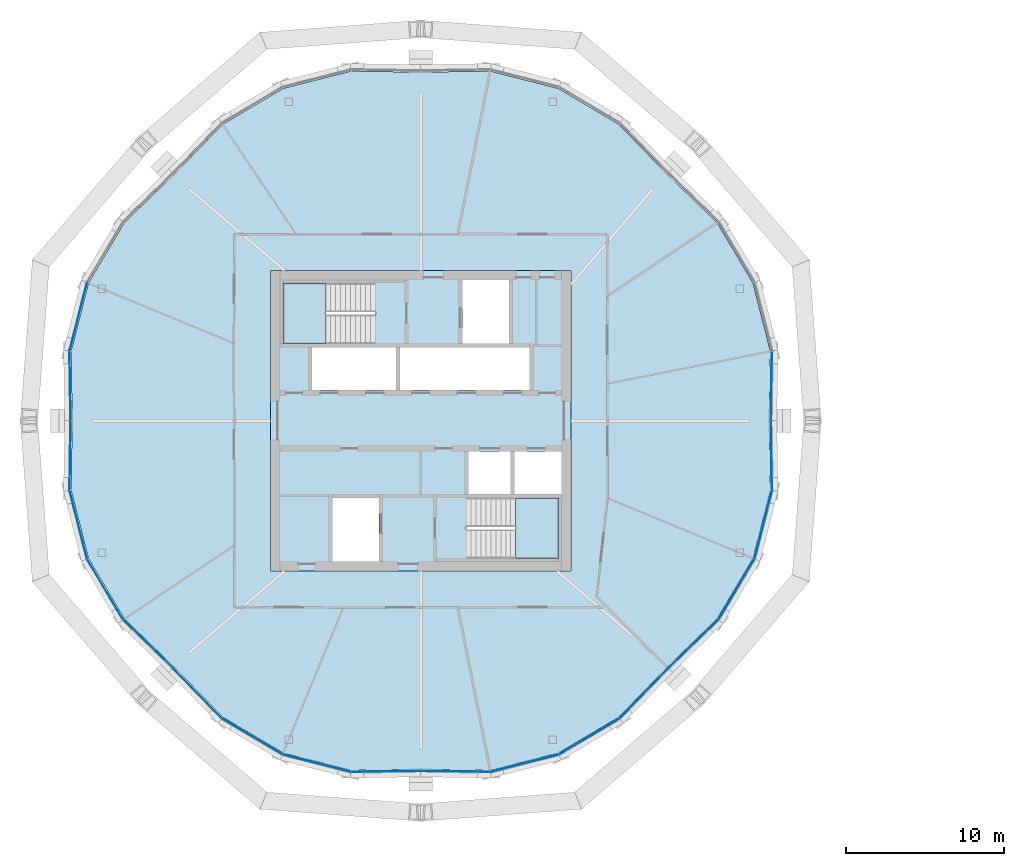
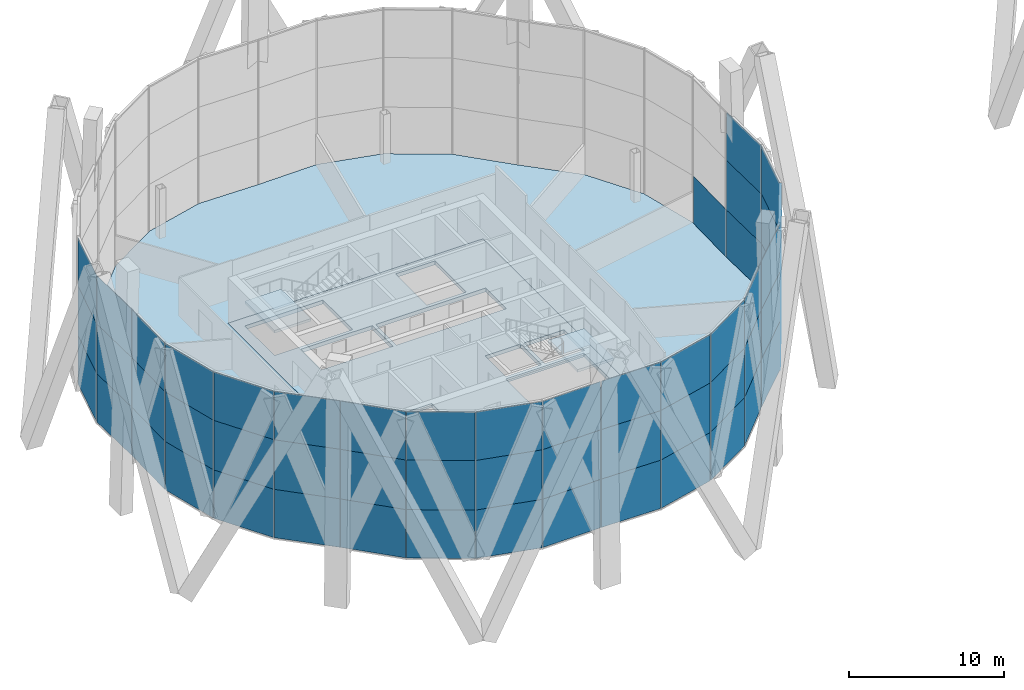
# One storey, part 12 of 23: 55 plates, 4 slabs, 8 elements without a shape of their own.
"""IFC4 building model written with IfcOpenShell, lengths in metres."""

from ifc_helpers import new_model, si_unit, direction, frame, origin, origin_2d, place, context, subcontext, project, spatial, polyline, rectangle, outline, extrude, material, layer, layer_set, type_object, element, aggregate, save


model = new_model("IFC4")

# Units and contexts
model_context = context("Model", 3, precision=1e-05, world=origin(), true_north=direction((0.0, 1.0)))
body_context = subcontext(model_context, "Body", "Model", "MODEL_VIEW")
ifc_project = project(units=[si_unit("LENGTHUNIT", "METRE"), si_unit("AREAUNIT", "SQUARE_METRE"), si_unit("VOLUMEUNIT", "CUBIC_METRE"), si_unit("PLANEANGLEUNIT", "RADIAN"), si_unit("MASSUNIT", "GRAM", prefix="KILO")], contexts=[model_context])

# Site, building, storey
site_placement = place(None, origin())
site = spatial("IfcSite", under=ifc_project, at=site_placement, CompositionType="ELEMENT")
building_placement = place(site_placement, origin())
building = spatial("IfcBuilding", under=site, at=building_placement, Name="Ogive Gate Towers", CompositionType="ELEMENT")
storey_placement = place(building_placement, frame((0.0, 0.0, 165.60009765625)))
storey = spatial("IfcBuildingStorey", under=building, at=storey_placement, Name="L39", CompositionType="ELEMENT", Elevation=165.60009765625)

# Slabs
ifc_material_1 = material(Name="Concrete C40/50", Category="concrete")
ifc_layer_1 = layer(ifc_material_1, 0.300048828125)
ifc_layer_set_1 = layer_set([ifc_layer_1], Name="Core slab C40/50 300 mm")
slab_type_1 = type_object("IfcSlabType", Name="Core slab C40/50 300 mm", PredefinedType="FLOOR", material=ifc_layer_set_1)
slab_1_placement = place(storey_placement, frame((0.0, 0.0, -0.300048828125)))
element("IfcSlab", 1, at=slab_1_placement, inside=storey, type_object=slab_type_1, Name="T1 L39 core slab", PredefinedType="FLOOR", context=body_context, shape_type="SweptSolid", body=[
    extrude(outline(polyline([(-45.5, -9.5), (-45.5, 9.5), (-26.5, 9.5), (-26.5, -9.5), (-45.5, -9.5)]), holes=[polyline([(-42.875, 1.949951171875), (-37.574951171875, 1.949951171875), (-37.574951171875, 4.625), (-42.875, 4.625), (-42.875, 1.949951171875)]), polyline([(-37.324951171875, 4.625), (-37.324951171875, 1.949951171875), (-29.125, 1.949951171875), (-29.125, 4.625), (-37.324951171875, 4.625)]), polyline([(-30.324951171875, -1.949951171875), (-32.97509765625, -1.949951171875), (-32.97509765625, -4.625), (-30.324951171875, -4.625), (-30.324951171875, -1.949951171875)]), polyline([(-27.10009765625, -4.625), (-27.10009765625, -1.949951171875), (-30.074951171875, -1.949951171875), (-30.074951171875, -4.625), (-27.10009765625, -4.625)]), polyline([(-33.375, 4.875), (-30.425048828125, 4.875), (-30.425048828125, 8.89990234375), (-33.375, 8.89990234375), (-33.375, 4.875)]), polyline([(-41.574951171875, -4.875), (-41.574951171875, -8.89990234375), (-38.625, -8.89990234375), (-38.625, -4.875), (-41.574951171875, -4.875)]), polyline([(-44.699951171875, 4.875), (-38.885009765625, 4.875), (-38.885009765625, 8.699951171875), (-44.699951171875, 8.699951171875), (-44.699951171875, 4.875)]), polyline([(-27.300048828125, -8.699951171875), (-27.300048828125, -4.875), (-33.114990234375, -4.875), (-33.114990234375, -8.699951171875), (-27.300048828125, -8.699951171875)])]), origin(), (0.0, 0.0, 1.0), 0.300048828125),
])
ifc_material_2 = material(Name="Concrete C35/45", Category="concrete")
ifc_layer_2 = layer(ifc_material_2, 0.300048828125)
ifc_layer_set_2 = layer_set([ifc_layer_2], Name="Floor slab 300")
slab_type_2 = type_object("IfcSlabType", Name="Floor slab 300", PredefinedType="FLOOR", material=ifc_layer_set_2)
slab_2_placement = place(storey_placement, frame((0.0, 0.0, -0.300048828125)))
element("IfcSlab", 2, at=slab_2_placement, inside=storey, type_object=slab_type_2, Name="T1/L39/SSL001", PredefinedType="FLOOR", context=body_context, shape_type="SweptSolid", body=[
    extrude(outline(polyline([(-13.90283203125, -4.395263671875), (-13.969970703125, 0.0), (-13.90283203125, 4.395263671875), (-15.000244140625, 8.698486328125), (-17.26708984375, 12.51708984375), (-20.42236328125, 15.57763671875), (-23.48291015625, 18.73291015625), (-27.301513671875, 20.999755859375), (-31.604736328125, 22.09716796875), (-36.0, 22.030029296875), (-40.395263671875, 22.09716796875), (-44.698486328125, 20.999755859375), (-48.51708984375, 18.73291015625), (-51.57763671875, 15.57763671875), (-54.73291015625, 12.51708984375), (-56.999755859375, 8.698486328125), (-58.09716796875, 4.395263671875), (-58.030029296875, 0.0), (-58.09716796875, -4.395263671875), (-56.999755859375, -8.698486328125), (-54.73291015625, -12.51708984375), (-51.57763671875, -15.57763671875), (-48.51708984375, -18.73291015625), (-44.698486328125, -20.999755859375), (-40.395263671875, -22.09716796875), (-36.0, -22.030029296875), (-31.604736328125, -22.09716796875), (-27.301513671875, -20.999755859375), (-23.48291015625, -18.73291015625), (-20.42236328125, -15.57763671875), (-17.26708984375, -12.51708984375), (-15.000244140625, -8.698486328125), (-13.90283203125, -4.395263671875)]), holes=[polyline([(-26.5, -9.5), (-45.5, -9.5), (-45.5, 9.5), (-26.5, 9.5), (-26.5, -9.5)])]), origin(), (0.0, 0.0, 1.0), 0.300048828125),
])

# Stair, slab
stair_type = type_object("IfcStairType", Name="Escape stair 1840 wide", PredefinedType="HALF_TURN_STAIR", material=ifc_material_1)
stair_1_placement = place(storey_placement, origin())
stair_1 = element("IfcStair", 3, at=stair_1_placement, inside=storey, type_object=stair_type, Name="L39 Escape stair 1", PredefinedType="HALF_TURN_STAIR")
ifc_layer_3 = layer(ifc_material_1, 0.199951171875)
ifc_layer_set_3 = layer_set([ifc_layer_3], Name="Stair landing 200 mm")
slab_type_3 = type_object("IfcSlabType", Name="Stair landing 200 mm", PredefinedType="LANDING", material=ifc_layer_set_3)
slab_3_placement = place(storey_placement, frame((0.0, 0.0, 1.75)))
slab_3 = element("IfcSlab", 4, at=slab_3_placement, type_object=slab_type_3, Name="ST1 landing 1", PredefinedType="LANDING", context=body_context, shape_type="SweptSolid", body=[
    extrude(outline(polyline([(-42.00146484375, 8.699951171875), (-44.699951171875, 8.699951171875), (-44.699951171875, 4.875), (-42.00146484375, 4.875), (-42.00146484375, 8.699951171875)])), origin(), (0.0, 0.0, 1.0), 0.199951171875),
])
aggregate(stair_1, [slab_3])

stair_2_placement = place(storey_placement, origin())
stair_2 = element("IfcStair", 5, at=stair_2_placement, inside=storey, type_object=stair_type, Name="L39 Escape stair 2", PredefinedType="HALF_TURN_STAIR")
slab_4_placement = place(storey_placement, frame((0.0, 0.0, 1.75)))
slab_4 = element("IfcSlab", 6, at=slab_4_placement, type_object=slab_type_3, Name="ST2 landing 1", PredefinedType="LANDING", context=body_context, shape_type="SweptSolid", body=[
    extrude(outline(polyline([(-29.99853515625, -8.699951171875), (-27.300048828125, -8.699951171875), (-27.300048828125, -4.875), (-29.99853515625, -4.875), (-29.99853515625, -8.699951171875)])), origin(), (0.0, 0.0, 1.0), 0.199951171875),
])
aggregate(stair_2, [slab_4])

# Curtain wall, plate
ifc_material_3 = material(Name="Pale metal aluminium", Category="aluminium")
curtain_wall_type = type_object("IfcCurtainWallType", Name="Tower unitised wall, high zone", PredefinedType="NOTDEFINED", material=ifc_material_3)
curtain_wall_1_placement = place(storey_placement, origin())
curtain_wall_1 = element("IfcCurtainWall", 7, at=curtain_wall_1_placement, inside=storey, type_object=curtain_wall_type, Name="CW2 T1 ECW01", PredefinedType="NOTDEFINED")
ifc_material_4 = material(Name="Clear glass", Category="glass")
ifc_layer_4 = layer(ifc_material_4, 0.028076171875)
ifc_layer_set_4 = layer_set([ifc_layer_4], Name="Tower unitised wall, high zone glass panel")
plate_type = type_object("IfcPlateType", Name="Tower unitised wall, high zone glass panel", PredefinedType="CURTAIN_PANEL", material=ifc_layer_set_4)
plate_1_placement = place(storey_placement, frame((-13.83642578125, 2.20166015625, -0.2041015625), z_axis=(0.0, 0.0, 1.0), x_axis=(0.015271037347, 0.99988339091, 0.0)))
plate_1 = element("IfcPlate", 8, at=plate_1_placement, type_object=plate_type, Name="CW2 glass panel", PredefinedType="CURTAIN_PANEL", context=body_context, shape_type="SweptSolid", body=[
    extrude(rectangle(XDim=4.349853515625, YDim=0.028076171875, at=origin_2d()), origin(), (0.0, 0.0, 1.0), 3.803955078125),
])
aggregate(curtain_wall_1, [plate_1])

# Curtain wall, plates
curtain_wall_2_placement = place(storey_placement, origin())
curtain_wall_2 = element("IfcCurtainWall", 9, at=curtain_wall_2_placement, inside=storey, type_object=curtain_wall_type, Name="CW2 T1 ECW04", PredefinedType="NOTDEFINED")
plate_2_placement = place(storey_placement, frame((-57.645263671875, 6.572021484375, -0.2041015625), z_axis=(0.0, 0.0, 1.0), x_axis=(-0.247100486458, -0.968989860418, 0.0)))
plate_2 = element("IfcPlate", 10, at=plate_2_placement, type_object=plate_type, Name="CW2 glass panel", PredefinedType="CURTAIN_PANEL", context=body_context, shape_type="SweptSolid", body=[
    extrude(rectangle(XDim=4.406494140625, YDim=0.028076171875, at=origin_2d()), origin(), (0.0, 0.0, 1.0), 3.803955078125),
])
plate_3_placement = place(storey_placement, frame((-57.645263671875, 6.572021484375, 3.599853515625), z_axis=(0.0, 0.0, 1.0), x_axis=(-0.247100486458, -0.968989860418, 0.0)))
plate_3 = element("IfcPlate", 11, at=plate_3_placement, type_object=plate_type, Name="CW2 glass panel", PredefinedType="CURTAIN_PANEL", context=body_context, shape_type="SweptSolid", body=[
    extrude(rectangle(XDim=4.406494140625, YDim=0.028076171875, at=origin_2d()), origin(), (0.0, 0.0, 1.0), 3.89990234375),
])
plate_4_placement = place(storey_placement, frame((-57.645263671875, 6.572021484375, 7.5), z_axis=(0.0, 0.0, 1.0), x_axis=(-0.247100486458, -0.968989860418, 0.0)))
plate_4 = element("IfcPlate", 12, at=plate_4_placement, type_object=plate_type, Name="CW2 glass panel", PredefinedType="CURTAIN_PANEL", context=body_context, shape_type="SweptSolid", body=[
    extrude(rectangle(XDim=4.406494140625, YDim=0.028076171875, at=origin_2d()), origin(), (0.0, 0.0, 1.0), 3.803955078125),
])
plate_5_placement = place(storey_placement, frame((-58.16357421875, 2.20166015625, -0.2041015625), z_axis=(0.0, 0.0, 1.0), x_axis=(0.015271037347, -0.99988339091, 0.0)))
plate_5 = element("IfcPlate", 13, at=plate_5_placement, type_object=plate_type, Name="CW2 glass panel", PredefinedType="CURTAIN_PANEL", context=body_context, shape_type="SweptSolid", body=[
    extrude(rectangle(XDim=4.349853515625, YDim=0.028076171875, at=origin_2d()), origin(), (0.0, 0.0, 1.0), 3.803955078125),
])
plate_6_placement = place(storey_placement, frame((-58.16357421875, 2.20166015625, 3.599853515625), z_axis=(0.0, 0.0, 1.0), x_axis=(0.015271037347, -0.99988339091, 0.0)))
plate_6 = element("IfcPlate", 14, at=plate_6_placement, type_object=plate_type, Name="CW2 glass panel", PredefinedType="CURTAIN_PANEL", context=body_context, shape_type="SweptSolid", body=[
    extrude(rectangle(XDim=4.349853515625, YDim=0.028076171875, at=origin_2d()), origin(), (0.0, 0.0, 1.0), 3.89990234375),
])
plate_7_placement = place(storey_placement, frame((-58.16357421875, 2.20166015625, 7.5), z_axis=(0.0, 0.0, 1.0), x_axis=(0.015271037347, -0.99988339091, 0.0)))
plate_7 = element("IfcPlate", 15, at=plate_7_placement, type_object=plate_type, Name="CW2 glass panel", PredefinedType="CURTAIN_PANEL", context=body_context, shape_type="SweptSolid", body=[
    extrude(rectangle(XDim=4.349853515625, YDim=0.028076171875, at=origin_2d()), origin(), (0.0, 0.0, 1.0), 3.803955078125),
])
aggregate(curtain_wall_2, [plate_2, plate_3, plate_4, plate_5, plate_6, plate_7])

curtain_wall_3_placement = place(storey_placement, origin())
curtain_wall_3 = element("IfcCurtainWall", 16, at=curtain_wall_3_placement, inside=storey, type_object=curtain_wall_type, Name="CW2 T1 ECW05", PredefinedType="NOTDEFINED")
plate_8_placement = place(storey_placement, frame((-58.16357421875, -2.20166015625, -0.2041015625), z_axis=(0.0, 0.0, 1.0), x_axis=(-0.015271037347, -0.99988339091, 0.0)))
plate_8 = element("IfcPlate", 17, at=plate_8_placement, type_object=plate_type, Name="CW2 glass panel", PredefinedType="CURTAIN_PANEL", context=body_context, shape_type="SweptSolid", body=[
    extrude(rectangle(XDim=4.349853515625, YDim=0.028076171875, at=origin_2d()), origin(), (0.0, 0.0, 1.0), 3.803955078125),
])
plate_9_placement = place(storey_placement, frame((-58.16357421875, -2.20166015625, 3.599853515625), z_axis=(0.0, 0.0, 1.0), x_axis=(-0.015271037347, -0.99988339091, 0.0)))
plate_9 = element("IfcPlate", 18, at=plate_9_placement, type_object=plate_type, Name="CW2 glass panel", PredefinedType="CURTAIN_PANEL", context=body_context, shape_type="SweptSolid", body=[
    extrude(rectangle(XDim=4.349853515625, YDim=0.028076171875, at=origin_2d()), origin(), (0.0, 0.0, 1.0), 3.89990234375),
])
plate_10_placement = place(storey_placement, frame((-58.16357421875, -2.20166015625, 7.5), z_axis=(0.0, 0.0, 1.0), x_axis=(-0.015271037347, -0.99988339091, 0.0)))
plate_10 = element("IfcPlate", 19, at=plate_10_placement, type_object=plate_type, Name="CW2 glass panel", PredefinedType="CURTAIN_PANEL", context=body_context, shape_type="SweptSolid", body=[
    extrude(rectangle(XDim=4.349853515625, YDim=0.028076171875, at=origin_2d()), origin(), (0.0, 0.0, 1.0), 3.803955078125),
])
plate_11_placement = place(storey_placement, frame((-57.645263671875, -6.572021484375, -0.2041015625), z_axis=(0.0, 0.0, 1.0), x_axis=(0.247100486458, -0.968989860418, 0.0)))
plate_11 = element("IfcPlate", 20, at=plate_11_placement, type_object=plate_type, Name="CW2 glass panel", PredefinedType="CURTAIN_PANEL", context=body_context, shape_type="SweptSolid", body=[
    extrude(rectangle(XDim=4.406494140625, YDim=0.028076171875, at=origin_2d()), origin(), (0.0, 0.0, 1.0), 3.803955078125),
])
plate_12_placement = place(storey_placement, frame((-57.645263671875, -6.572021484375, 3.599853515625), z_axis=(0.0, 0.0, 1.0), x_axis=(0.247100486458, -0.968989860418, 0.0)))
plate_12 = element("IfcPlate", 21, at=plate_12_placement, type_object=plate_type, Name="CW2 glass panel", PredefinedType="CURTAIN_PANEL", context=body_context, shape_type="SweptSolid", body=[
    extrude(rectangle(XDim=4.406494140625, YDim=0.028076171875, at=origin_2d()), origin(), (0.0, 0.0, 1.0), 3.89990234375),
])
plate_13_placement = place(storey_placement, frame((-57.645263671875, -6.572021484375, 7.5), z_axis=(0.0, 0.0, 1.0), x_axis=(0.247100486458, -0.968989860418, 0.0)))
plate_13 = element("IfcPlate", 22, at=plate_13_placement, type_object=plate_type, Name="CW2 glass panel", PredefinedType="CURTAIN_PANEL", context=body_context, shape_type="SweptSolid", body=[
    extrude(rectangle(XDim=4.406494140625, YDim=0.028076171875, at=origin_2d()), origin(), (0.0, 0.0, 1.0), 3.803955078125),
])
plate_14_placement = place(storey_placement, frame((-55.95263671875, -10.658447265625, -0.2041015625), z_axis=(0.0, 0.0, 1.0), x_axis=(0.510452871593, -0.859905730811, 0.0)))
plate_14 = element("IfcPlate", 23, at=plate_14_placement, type_object=plate_type, Name="CW2 glass panel", PredefinedType="CURTAIN_PANEL", context=body_context, shape_type="SweptSolid", body=[
    extrude(rectangle(XDim=4.406494140625, YDim=0.028076171875, at=origin_2d()), origin(), (0.0, 0.0, 1.0), 3.803955078125),
])
plate_15_placement = place(storey_placement, frame((-55.95263671875, -10.658447265625, 3.599853515625), z_axis=(0.0, 0.0, 1.0), x_axis=(0.510452871593, -0.859905730811, 0.0)))
plate_15 = element("IfcPlate", 24, at=plate_15_placement, type_object=plate_type, Name="CW2 glass panel", PredefinedType="CURTAIN_PANEL", context=body_context, shape_type="SweptSolid", body=[
    extrude(rectangle(XDim=4.406494140625, YDim=0.028076171875, at=origin_2d()), origin(), (0.0, 0.0, 1.0), 3.89990234375),
])
plate_16_placement = place(storey_placement, frame((-55.95263671875, -10.658447265625, 7.5), z_axis=(0.0, 0.0, 1.0), x_axis=(0.510452871593, -0.859905730811, 0.0)))
plate_16 = element("IfcPlate", 25, at=plate_16_placement, type_object=plate_type, Name="CW2 glass panel", PredefinedType="CURTAIN_PANEL", context=body_context, shape_type="SweptSolid", body=[
    extrude(rectangle(XDim=4.406494140625, YDim=0.028076171875, at=origin_2d()), origin(), (0.0, 0.0, 1.0), 3.803955078125),
])
plate_17_placement = place(storey_placement, frame((-53.22900390625, -14.115234375, -0.2041015625), z_axis=(0.0, 0.0, 1.0), x_axis=(0.717810428625, -0.696238600306, 0.0)))
plate_17 = element("IfcPlate", 26, at=plate_17_placement, type_object=plate_type, Name="CW2 glass panel", PredefinedType="CURTAIN_PANEL", context=body_context, shape_type="SweptSolid", body=[
    extrude(rectangle(XDim=4.349853515625, YDim=0.028076171875, at=origin_2d()), origin(), (0.0, 0.0, 1.0), 3.803955078125),
])
plate_18_placement = place(storey_placement, frame((-53.22900390625, -14.115234375, 3.599853515625), z_axis=(0.0, 0.0, 1.0), x_axis=(0.717810428625, -0.696238600306, 0.0)))
plate_18 = element("IfcPlate", 27, at=plate_18_placement, type_object=plate_type, Name="CW2 glass panel", PredefinedType="CURTAIN_PANEL", context=body_context, shape_type="SweptSolid", body=[
    extrude(rectangle(XDim=4.349853515625, YDim=0.028076171875, at=origin_2d()), origin(), (0.0, 0.0, 1.0), 3.89990234375),
])
plate_19_placement = place(storey_placement, frame((-53.22900390625, -14.115234375, 7.5), z_axis=(0.0, 0.0, 1.0), x_axis=(0.717810428625, -0.696238600306, 0.0)))
plate_19 = element("IfcPlate", 28, at=plate_19_placement, type_object=plate_type, Name="CW2 glass panel", PredefinedType="CURTAIN_PANEL", context=body_context, shape_type="SweptSolid", body=[
    extrude(rectangle(XDim=4.349853515625, YDim=0.028076171875, at=origin_2d()), origin(), (0.0, 0.0, 1.0), 3.803955078125),
])
aggregate(curtain_wall_3, [plate_8, plate_9, plate_10, plate_11, plate_12, plate_13, plate_14, plate_15, plate_16, plate_17, plate_18, plate_19])

curtain_wall_4_placement = place(storey_placement, origin())
curtain_wall_4 = element("IfcCurtainWall", 29, at=curtain_wall_4_placement, inside=storey, type_object=curtain_wall_type, Name="CW2 T1 ECW06", PredefinedType="NOTDEFINED")
plate_20_placement = place(storey_placement, frame((-50.115234375, -17.22900390625, -0.2041015625), z_axis=(0.0, 0.0, 1.0), x_axis=(0.696238600306, -0.717810428625, 0.0)))
plate_20 = element("IfcPlate", 30, at=plate_20_placement, type_object=plate_type, Name="CW2 glass panel", PredefinedType="CURTAIN_PANEL", context=body_context, shape_type="SweptSolid", body=[
    extrude(rectangle(XDim=4.349853515625, YDim=0.028076171875, at=origin_2d()), origin(), (0.0, 0.0, 1.0), 3.803955078125),
])
plate_21_placement = place(storey_placement, frame((-50.115234375, -17.22900390625, 3.599853515625), z_axis=(0.0, 0.0, 1.0), x_axis=(0.696238600306, -0.717810428625, 0.0)))
plate_21 = element("IfcPlate", 31, at=plate_21_placement, type_object=plate_type, Name="CW2 glass panel", PredefinedType="CURTAIN_PANEL", context=body_context, shape_type="SweptSolid", body=[
    extrude(rectangle(XDim=4.349853515625, YDim=0.028076171875, at=origin_2d()), origin(), (0.0, 0.0, 1.0), 3.89990234375),
])
plate_22_placement = place(storey_placement, frame((-50.115234375, -17.22900390625, 7.5), z_axis=(0.0, 0.0, 1.0), x_axis=(0.696238600306, -0.717810428625, 0.0)))
plate_22 = element("IfcPlate", 32, at=plate_22_placement, type_object=plate_type, Name="CW2 glass panel", PredefinedType="CURTAIN_PANEL", context=body_context, shape_type="SweptSolid", body=[
    extrude(rectangle(XDim=4.349853515625, YDim=0.028076171875, at=origin_2d()), origin(), (0.0, 0.0, 1.0), 3.803955078125),
])
plate_23_placement = place(storey_placement, frame((-46.658447265625, -19.95263671875, -0.2041015625), z_axis=(0.0, 0.0, 1.0), x_axis=(0.859905730811, -0.510452871593, 0.0)))
plate_23 = element("IfcPlate", 33, at=plate_23_placement, type_object=plate_type, Name="CW2 glass panel", PredefinedType="CURTAIN_PANEL", context=body_context, shape_type="SweptSolid", body=[
    extrude(rectangle(XDim=4.406494140625, YDim=0.028076171875, at=origin_2d()), origin(), (0.0, 0.0, 1.0), 3.803955078125),
])
plate_24_placement = place(storey_placement, frame((-46.658447265625, -19.95263671875, 3.599853515625), z_axis=(0.0, 0.0, 1.0), x_axis=(0.859905730811, -0.510452871593, 0.0)))
plate_24 = element("IfcPlate", 34, at=plate_24_placement, type_object=plate_type, Name="CW2 glass panel", PredefinedType="CURTAIN_PANEL", context=body_context, shape_type="SweptSolid", body=[
    extrude(rectangle(XDim=4.406494140625, YDim=0.028076171875, at=origin_2d()), origin(), (0.0, 0.0, 1.0), 3.89990234375),
])
plate_25_placement = place(storey_placement, frame((-46.658447265625, -19.95263671875, 7.5), z_axis=(0.0, 0.0, 1.0), x_axis=(0.859905730811, -0.510452871593, 0.0)))
plate_25 = element("IfcPlate", 35, at=plate_25_placement, type_object=plate_type, Name="CW2 glass panel", PredefinedType="CURTAIN_PANEL", context=body_context, shape_type="SweptSolid", body=[
    extrude(rectangle(XDim=4.406494140625, YDim=0.028076171875, at=origin_2d()), origin(), (0.0, 0.0, 1.0), 3.803955078125),
])
plate_26_placement = place(storey_placement, frame((-42.572021484375, -21.645263671875, -0.2041015625), z_axis=(0.0, 0.0, 1.0), x_axis=(0.968989860418, -0.247100486458, 0.0)))
plate_26 = element("IfcPlate", 36, at=plate_26_placement, type_object=plate_type, Name="CW2 glass panel", PredefinedType="CURTAIN_PANEL", context=body_context, shape_type="SweptSolid", body=[
    extrude(rectangle(XDim=4.406494140625, YDim=0.028076171875, at=origin_2d()), origin(), (0.0, 0.0, 1.0), 3.803955078125),
])
plate_27_placement = place(storey_placement, frame((-42.572021484375, -21.645263671875, 3.599853515625), z_axis=(0.0, 0.0, 1.0), x_axis=(0.968989860418, -0.247100486458, 0.0)))
plate_27 = element("IfcPlate", 37, at=plate_27_placement, type_object=plate_type, Name="CW2 glass panel", PredefinedType="CURTAIN_PANEL", context=body_context, shape_type="SweptSolid", body=[
    extrude(rectangle(XDim=4.406494140625, YDim=0.028076171875, at=origin_2d()), origin(), (0.0, 0.0, 1.0), 3.89990234375),
])
plate_28_placement = place(storey_placement, frame((-42.572021484375, -21.645263671875, 7.5), z_axis=(0.0, 0.0, 1.0), x_axis=(0.968989860418, -0.247100486458, 0.0)))
plate_28 = element("IfcPlate", 38, at=plate_28_placement, type_object=plate_type, Name="CW2 glass panel", PredefinedType="CURTAIN_PANEL", context=body_context, shape_type="SweptSolid", body=[
    extrude(rectangle(XDim=4.406494140625, YDim=0.028076171875, at=origin_2d()), origin(), (0.0, 0.0, 1.0), 3.803955078125),
])
plate_29_placement = place(storey_placement, frame((-38.20166015625, -22.16357421875, -0.2041015625), z_axis=(0.0, 0.0, 1.0), x_axis=(0.99988339091, 0.015271037347, 0.0)))
plate_29 = element("IfcPlate", 39, at=plate_29_placement, type_object=plate_type, Name="CW2 glass panel", PredefinedType="CURTAIN_PANEL", context=body_context, shape_type="SweptSolid", body=[
    extrude(rectangle(XDim=4.349853515625, YDim=0.028076171875, at=origin_2d()), origin(), (0.0, 0.0, 1.0), 3.803955078125),
])
plate_30_placement = place(storey_placement, frame((-38.20166015625, -22.16357421875, 3.599853515625), z_axis=(0.0, 0.0, 1.0), x_axis=(0.99988339091, 0.015271037347, 0.0)))
plate_30 = element("IfcPlate", 40, at=plate_30_placement, type_object=plate_type, Name="CW2 glass panel", PredefinedType="CURTAIN_PANEL", context=body_context, shape_type="SweptSolid", body=[
    extrude(rectangle(XDim=4.349853515625, YDim=0.028076171875, at=origin_2d()), origin(), (0.0, 0.0, 1.0), 3.89990234375),
])
plate_31_placement = place(storey_placement, frame((-38.20166015625, -22.16357421875, 7.5), z_axis=(0.0, 0.0, 1.0), x_axis=(0.99988339091, 0.015271037347, 0.0)))
plate_31 = element("IfcPlate", 41, at=plate_31_placement, type_object=plate_type, Name="CW2 glass panel", PredefinedType="CURTAIN_PANEL", context=body_context, shape_type="SweptSolid", body=[
    extrude(rectangle(XDim=4.349853515625, YDim=0.028076171875, at=origin_2d()), origin(), (0.0, 0.0, 1.0), 3.803955078125),
])
aggregate(curtain_wall_4, [plate_20, plate_21, plate_22, plate_23, plate_24, plate_25, plate_26, plate_27, plate_28, plate_29, plate_30, plate_31])

curtain_wall_5_placement = place(storey_placement, origin())
curtain_wall_5 = element("IfcCurtainWall", 42, at=curtain_wall_5_placement, inside=storey, type_object=curtain_wall_type, Name="CW2 T1 ECW07", PredefinedType="NOTDEFINED")
plate_32_placement = place(storey_placement, frame((-33.79833984375, -22.16357421875, -0.2041015625), z_axis=(0.0, 0.0, 1.0), x_axis=(0.99988339091, -0.015271037347, 0.0)))
plate_32 = element("IfcPlate", 43, at=plate_32_placement, type_object=plate_type, Name="CW2 glass panel", PredefinedType="CURTAIN_PANEL", context=body_context, shape_type="SweptSolid", body=[
    extrude(rectangle(XDim=4.349853515625, YDim=0.028076171875, at=origin_2d()), origin(), (0.0, 0.0, 1.0), 3.803955078125),
])
plate_33_placement = place(storey_placement, frame((-33.79833984375, -22.16357421875, 3.599853515625), z_axis=(0.0, 0.0, 1.0), x_axis=(0.99988339091, -0.015271037347, 0.0)))
plate_33 = element("IfcPlate", 44, at=plate_33_placement, type_object=plate_type, Name="CW2 glass panel", PredefinedType="CURTAIN_PANEL", context=body_context, shape_type="SweptSolid", body=[
    extrude(rectangle(XDim=4.349853515625, YDim=0.028076171875, at=origin_2d()), origin(), (0.0, 0.0, 1.0), 3.89990234375),
])
plate_34_placement = place(storey_placement, frame((-33.79833984375, -22.16357421875, 7.5), z_axis=(0.0, 0.0, 1.0), x_axis=(0.99988339091, -0.015271037347, 0.0)))
plate_34 = element("IfcPlate", 45, at=plate_34_placement, type_object=plate_type, Name="CW2 glass panel", PredefinedType="CURTAIN_PANEL", context=body_context, shape_type="SweptSolid", body=[
    extrude(rectangle(XDim=4.349853515625, YDim=0.028076171875, at=origin_2d()), origin(), (0.0, 0.0, 1.0), 3.803955078125),
])
plate_35_placement = place(storey_placement, frame((-29.427978515625, -21.645263671875, -0.2041015625), z_axis=(0.0, 0.0, 1.0), x_axis=(0.968989860418, 0.247100486458, 0.0)))
plate_35 = element("IfcPlate", 46, at=plate_35_placement, type_object=plate_type, Name="CW2 glass panel", PredefinedType="CURTAIN_PANEL", context=body_context, shape_type="SweptSolid", body=[
    extrude(rectangle(XDim=4.406494140625, YDim=0.028076171875, at=origin_2d()), origin(), (0.0, 0.0, 1.0), 3.803955078125),
])
plate_36_placement = place(storey_placement, frame((-29.427978515625, -21.645263671875, 3.599853515625), z_axis=(0.0, 0.0, 1.0), x_axis=(0.968989860418, 0.247100486458, 0.0)))
plate_36 = element("IfcPlate", 47, at=plate_36_placement, type_object=plate_type, Name="CW2 glass panel", PredefinedType="CURTAIN_PANEL", context=body_context, shape_type="SweptSolid", body=[
    extrude(rectangle(XDim=4.406494140625, YDim=0.028076171875, at=origin_2d()), origin(), (0.0, 0.0, 1.0), 3.89990234375),
])
plate_37_placement = place(storey_placement, frame((-29.427978515625, -21.645263671875, 7.5), z_axis=(0.0, 0.0, 1.0), x_axis=(0.968989860418, 0.247100486458, 0.0)))
plate_37 = element("IfcPlate", 48, at=plate_37_placement, type_object=plate_type, Name="CW2 glass panel", PredefinedType="CURTAIN_PANEL", context=body_context, shape_type="SweptSolid", body=[
    extrude(rectangle(XDim=4.406494140625, YDim=0.028076171875, at=origin_2d()), origin(), (0.0, 0.0, 1.0), 3.803955078125),
])
plate_38_placement = place(storey_placement, frame((-25.341552734375, -19.95263671875, -0.2041015625), z_axis=(0.0, 0.0, 1.0), x_axis=(0.859905730811, 0.510452871593, 0.0)))
plate_38 = element("IfcPlate", 49, at=plate_38_placement, type_object=plate_type, Name="CW2 glass panel", PredefinedType="CURTAIN_PANEL", context=body_context, shape_type="SweptSolid", body=[
    extrude(rectangle(XDim=4.406494140625, YDim=0.028076171875, at=origin_2d()), origin(), (0.0, 0.0, 1.0), 3.803955078125),
])
plate_39_placement = place(storey_placement, frame((-25.341552734375, -19.95263671875, 3.599853515625), z_axis=(0.0, 0.0, 1.0), x_axis=(0.859905730811, 0.510452871593, 0.0)))
plate_39 = element("IfcPlate", 50, at=plate_39_placement, type_object=plate_type, Name="CW2 glass panel", PredefinedType="CURTAIN_PANEL", context=body_context, shape_type="SweptSolid", body=[
    extrude(rectangle(XDim=4.406494140625, YDim=0.028076171875, at=origin_2d()), origin(), (0.0, 0.0, 1.0), 3.89990234375),
])
plate_40_placement = place(storey_placement, frame((-25.341552734375, -19.95263671875, 7.5), z_axis=(0.0, 0.0, 1.0), x_axis=(0.859905730811, 0.510452871593, 0.0)))
plate_40 = element("IfcPlate", 51, at=plate_40_placement, type_object=plate_type, Name="CW2 glass panel", PredefinedType="CURTAIN_PANEL", context=body_context, shape_type="SweptSolid", body=[
    extrude(rectangle(XDim=4.406494140625, YDim=0.028076171875, at=origin_2d()), origin(), (0.0, 0.0, 1.0), 3.803955078125),
])
plate_41_placement = place(storey_placement, frame((-21.884765625, -17.22900390625, -0.2041015625), z_axis=(0.0, 0.0, 1.0), x_axis=(0.696238600306, 0.717810428625, 0.0)))
plate_41 = element("IfcPlate", 52, at=plate_41_placement, type_object=plate_type, Name="CW2 glass panel", PredefinedType="CURTAIN_PANEL", context=body_context, shape_type="SweptSolid", body=[
    extrude(rectangle(XDim=4.349853515625, YDim=0.028076171875, at=origin_2d()), origin(), (0.0, 0.0, 1.0), 3.803955078125),
])
plate_42_placement = place(storey_placement, frame((-21.884765625, -17.22900390625, 3.599853515625), z_axis=(0.0, 0.0, 1.0), x_axis=(0.696238600306, 0.717810428625, 0.0)))
plate_42 = element("IfcPlate", 53, at=plate_42_placement, type_object=plate_type, Name="CW2 glass panel", PredefinedType="CURTAIN_PANEL", context=body_context, shape_type="SweptSolid", body=[
    extrude(rectangle(XDim=4.349853515625, YDim=0.028076171875, at=origin_2d()), origin(), (0.0, 0.0, 1.0), 3.89990234375),
])
plate_43_placement = place(storey_placement, frame((-21.884765625, -17.22900390625, 7.5), z_axis=(0.0, 0.0, 1.0), x_axis=(0.696238600306, 0.717810428625, 0.0)))
plate_43 = element("IfcPlate", 54, at=plate_43_placement, type_object=plate_type, Name="CW2 glass panel", PredefinedType="CURTAIN_PANEL", context=body_context, shape_type="SweptSolid", body=[
    extrude(rectangle(XDim=4.349853515625, YDim=0.028076171875, at=origin_2d()), origin(), (0.0, 0.0, 1.0), 3.803955078125),
])
aggregate(curtain_wall_5, [plate_32, plate_33, plate_34, plate_35, plate_36, plate_37, plate_38, plate_39, plate_40, plate_41, plate_42, plate_43])

curtain_wall_6_placement = place(storey_placement, origin())
curtain_wall_6 = element("IfcCurtainWall", 55, at=curtain_wall_6_placement, inside=storey, type_object=curtain_wall_type, Name="CW2 T1 ECW08", PredefinedType="NOTDEFINED")
plate_44_placement = place(storey_placement, frame((-18.77099609375, -14.115234375, -0.2041015625), z_axis=(0.0, 0.0, 1.0), x_axis=(0.717810428625, 0.696238600306, 0.0)))
plate_44 = element("IfcPlate", 56, at=plate_44_placement, type_object=plate_type, Name="CW2 glass panel", PredefinedType="CURTAIN_PANEL", context=body_context, shape_type="SweptSolid", body=[
    extrude(rectangle(XDim=4.349853515625, YDim=0.028076171875, at=origin_2d()), origin(), (0.0, 0.0, 1.0), 3.803955078125),
])
plate_45_placement = place(storey_placement, frame((-18.77099609375, -14.115234375, 3.599853515625), z_axis=(0.0, 0.0, 1.0), x_axis=(0.717810428625, 0.696238600306, 0.0)))
plate_45 = element("IfcPlate", 57, at=plate_45_placement, type_object=plate_type, Name="CW2 glass panel", PredefinedType="CURTAIN_PANEL", context=body_context, shape_type="SweptSolid", body=[
    extrude(rectangle(XDim=4.349853515625, YDim=0.028076171875, at=origin_2d()), origin(), (0.0, 0.0, 1.0), 3.89990234375),
])
plate_46_placement = place(storey_placement, frame((-18.77099609375, -14.115234375, 7.5), z_axis=(0.0, 0.0, 1.0), x_axis=(0.717810428625, 0.696238600306, 0.0)))
plate_46 = element("IfcPlate", 58, at=plate_46_placement, type_object=plate_type, Name="CW2 glass panel", PredefinedType="CURTAIN_PANEL", context=body_context, shape_type="SweptSolid", body=[
    extrude(rectangle(XDim=4.349853515625, YDim=0.028076171875, at=origin_2d()), origin(), (0.0, 0.0, 1.0), 3.803955078125),
])
plate_47_placement = place(storey_placement, frame((-16.04736328125, -10.658447265625, -0.2041015625), z_axis=(0.0, 0.0, 1.0), x_axis=(0.510452871593, 0.859905730811, 0.0)))
plate_47 = element("IfcPlate", 59, at=plate_47_placement, type_object=plate_type, Name="CW2 glass panel", PredefinedType="CURTAIN_PANEL", context=body_context, shape_type="SweptSolid", body=[
    extrude(rectangle(XDim=4.406494140625, YDim=0.028076171875, at=origin_2d()), origin(), (0.0, 0.0, 1.0), 3.803955078125),
])
plate_48_placement = place(storey_placement, frame((-16.04736328125, -10.658447265625, 3.599853515625), z_axis=(0.0, 0.0, 1.0), x_axis=(0.510452871593, 0.859905730811, 0.0)))
plate_48 = element("IfcPlate", 60, at=plate_48_placement, type_object=plate_type, Name="CW2 glass panel", PredefinedType="CURTAIN_PANEL", context=body_context, shape_type="SweptSolid", body=[
    extrude(rectangle(XDim=4.406494140625, YDim=0.028076171875, at=origin_2d()), origin(), (0.0, 0.0, 1.0), 3.89990234375),
])
plate_49_placement = place(storey_placement, frame((-16.04736328125, -10.658447265625, 7.5), z_axis=(0.0, 0.0, 1.0), x_axis=(0.510452871593, 0.859905730811, 0.0)))
plate_49 = element("IfcPlate", 61, at=plate_49_placement, type_object=plate_type, Name="CW2 glass panel", PredefinedType="CURTAIN_PANEL", context=body_context, shape_type="SweptSolid", body=[
    extrude(rectangle(XDim=4.406494140625, YDim=0.028076171875, at=origin_2d()), origin(), (0.0, 0.0, 1.0), 3.803955078125),
])
plate_50_placement = place(storey_placement, frame((-14.354736328125, -6.572021484375, -0.2041015625), z_axis=(0.0, 0.0, 1.0), x_axis=(0.247100486458, 0.968989860418, 0.0)))
plate_50 = element("IfcPlate", 62, at=plate_50_placement, type_object=plate_type, Name="CW2 glass panel", PredefinedType="CURTAIN_PANEL", context=body_context, shape_type="SweptSolid", body=[
    extrude(rectangle(XDim=4.406494140625, YDim=0.028076171875, at=origin_2d()), origin(), (0.0, 0.0, 1.0), 3.803955078125),
])
plate_51_placement = place(storey_placement, frame((-14.354736328125, -6.572021484375, 3.599853515625), z_axis=(0.0, 0.0, 1.0), x_axis=(0.247100486458, 0.968989860418, 0.0)))
plate_51 = element("IfcPlate", 63, at=plate_51_placement, type_object=plate_type, Name="CW2 glass panel", PredefinedType="CURTAIN_PANEL", context=body_context, shape_type="SweptSolid", body=[
    extrude(rectangle(XDim=4.406494140625, YDim=0.028076171875, at=origin_2d()), origin(), (0.0, 0.0, 1.0), 3.89990234375),
])
plate_52_placement = place(storey_placement, frame((-14.354736328125, -6.572021484375, 7.5), z_axis=(0.0, 0.0, 1.0), x_axis=(0.247100486458, 0.968989860418, 0.0)))
plate_52 = element("IfcPlate", 64, at=plate_52_placement, type_object=plate_type, Name="CW2 glass panel", PredefinedType="CURTAIN_PANEL", context=body_context, shape_type="SweptSolid", body=[
    extrude(rectangle(XDim=4.406494140625, YDim=0.028076171875, at=origin_2d()), origin(), (0.0, 0.0, 1.0), 3.803955078125),
])
plate_53_placement = place(storey_placement, frame((-13.83642578125, -2.20166015625, -0.2041015625), z_axis=(0.0, 0.0, 1.0), x_axis=(-0.015271037347, 0.99988339091, 0.0)))
plate_53 = element("IfcPlate", 65, at=plate_53_placement, type_object=plate_type, Name="CW2 glass panel", PredefinedType="CURTAIN_PANEL", context=body_context, shape_type="SweptSolid", body=[
    extrude(rectangle(XDim=4.349853515625, YDim=0.028076171875, at=origin_2d()), origin(), (0.0, 0.0, 1.0), 3.803955078125),
])
plate_54_placement = place(storey_placement, frame((-13.83642578125, -2.20166015625, 3.599853515625), z_axis=(0.0, 0.0, 1.0), x_axis=(-0.015271037347, 0.99988339091, 0.0)))
plate_54 = element("IfcPlate", 66, at=plate_54_placement, type_object=plate_type, Name="CW2 glass panel", PredefinedType="CURTAIN_PANEL", context=body_context, shape_type="SweptSolid", body=[
    extrude(rectangle(XDim=4.349853515625, YDim=0.028076171875, at=origin_2d()), origin(), (0.0, 0.0, 1.0), 3.89990234375),
])
plate_55_placement = place(storey_placement, frame((-13.83642578125, -2.20166015625, 7.5), z_axis=(0.0, 0.0, 1.0), x_axis=(-0.015271037347, 0.99988339091, 0.0)))
plate_55 = element("IfcPlate", 67, at=plate_55_placement, type_object=plate_type, Name="CW2 glass panel", PredefinedType="CURTAIN_PANEL", context=body_context, shape_type="SweptSolid", body=[
    extrude(rectangle(XDim=4.349853515625, YDim=0.028076171875, at=origin_2d()), origin(), (0.0, 0.0, 1.0), 3.803955078125),
])
aggregate(curtain_wall_6, [plate_44, plate_45, plate_46, plate_47, plate_48, plate_49, plate_50, plate_51, plate_52, plate_53, plate_54, plate_55])

save(model, "model.ifc")
